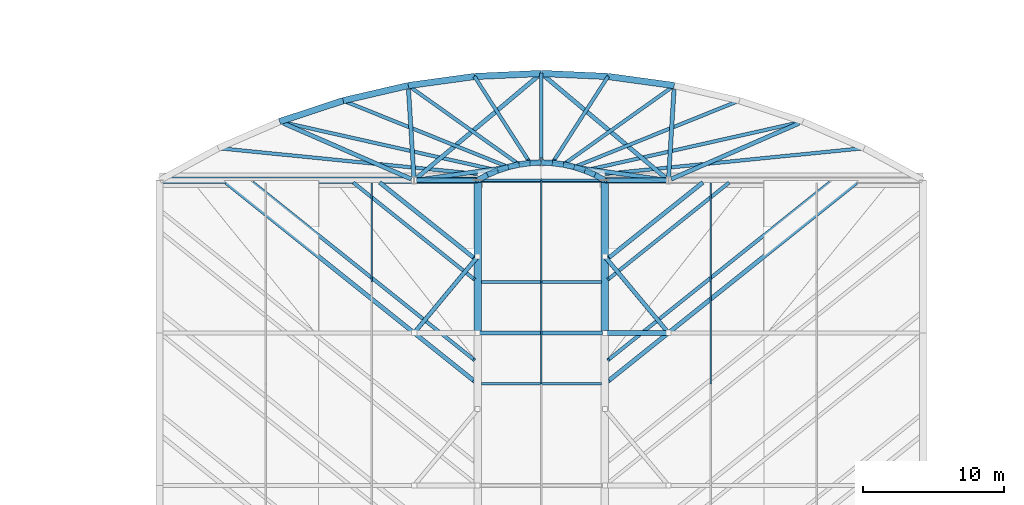
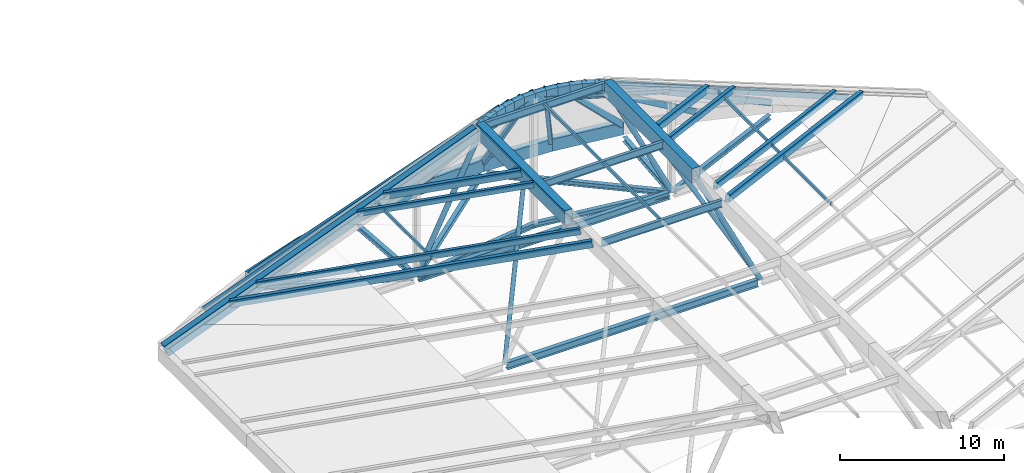
# One storey, part 33 of 110: 55 beams, 10 members.
"""IFC4 building model written with IfcOpenShell, lengths in metres."""

from ifc_helpers import new_model, si_unit, direction, frame, origin, origin_2d, place, context, subcontext, project, spatial, hollow_rectangle, hollow_circle, i_section, extrude, material, material_profile, profile_set, type_object, element, save


model = new_model("IFC4")

# Units and contexts
model_context = context("Model", 3, precision=1e-05, world=origin(), true_north=direction((0.0, 1.0)))
body_context = subcontext(model_context, "Body", "Model", "MODEL_VIEW")
ifc_project = project(units=[si_unit("LENGTHUNIT", "METRE"), si_unit("AREAUNIT", "SQUARE_METRE"), si_unit("VOLUMEUNIT", "CUBIC_METRE"), si_unit("PLANEANGLEUNIT", "RADIAN"), si_unit("MASSUNIT", "GRAM", prefix="KILO")], contexts=[model_context])

# Site, building, storey
site_placement = place(None, origin())
site = spatial("IfcSite", under=ifc_project, at=site_placement, CompositionType="ELEMENT")
building_placement = place(site_placement, origin())
building = spatial("IfcBuilding", under=site, at=building_placement, Name="Tamarisk Ironworks Central Station", CompositionType="ELEMENT")
storey_placement = place(building_placement, frame((0.0, 0.0, 17.39990234375)))
storey = spatial("IfcBuildingStorey", under=building, at=storey_placement, Name="L03", CompositionType="ELEMENT", Elevation=17.39990234375)

# Beams
ifc_material_1 = material(Name="Painted structural steel S355J2", Category="steel")
ifc_material_profile_1 = material_profile(ifc_material_1, hollow_rectangle(XDim=0.300048828125, YDim=0.5, WallThickness=0.02001953125, at=origin_2d()), Name="RHS 500x300x20")
ifc_profile_set_1 = profile_set([ifc_material_profile_1], Name="Painted structural steel S355J2")
beam_type_1 = type_object("IfcBeamType", Name="BM-FR01", PredefinedType="USERDEFINED", material=ifc_profile_set_1)
for number, where, z_axis, x_axis, name in (
    (1, (76.25, 97.39990234375, 7.873291015625), (-0.746815868048, 0.597452694438, -0.292089604642), (-0.624695047554, -0.780868809443, 0.0), "Concourse paired 45-degree white fishbone roof rib 0169"),
    (2, (85.75, 97.39990234375, 7.873291015625), (0.746815868048, 0.597452694438, -0.292089604642), (-0.624695047554, 0.780868809443, 0.0), "Concourse paired 45-degree white fishbone roof rib 0170"),
):
    element("IfcBeam", number, at=place(storey_placement, frame(where, z_axis=z_axis, x_axis=x_axis)), inside=storey, type_object=beam_type_1, Name=name, ObjectType="FISHBONE ROOF RIB", PredefinedType="USERDEFINED", context=body_context, shape_type="SweptSolid", body=[
        extrude(hollow_rectangle(XDim=0.300048828125, YDim=0.5, WallThickness=0.02001953125, at=origin_2d()), origin(), (0.0, 0.0, 1.0), 23.432861328125),
    ])
for number, where, z_axis, x_axis, name in (
    (3, (76.25, 106.10009765625, 7.873291015625), (-0.746821188907, 0.597434933991, -0.292112326763), (-0.62468101012, -0.780880039184, 0.0), "Concourse paired 45-degree white fishbone roof rib 0175"),
    (4, (85.75, 106.10009765625, 7.873291015625), (0.746821188907, 0.597434933991, -0.292112326763), (-0.62468101012, 0.780880039184, 0.0), "Concourse paired 45-degree white fishbone roof rib 0176"),
):
    element("IfcBeam", number, at=place(storey_placement, frame(where, z_axis=z_axis, x_axis=x_axis)), inside=storey, type_object=beam_type_1, Name=name, ObjectType="FISHBONE ROOF RIB", PredefinedType="USERDEFINED", context=body_context, shape_type="SweptSolid", body=[
        extrude(hollow_rectangle(XDim=0.300048828125, YDim=0.5, WallThickness=0.02001953125, at=origin_2d()), origin(), (0.0, 0.0, 1.0), 8.870849609375),
    ])
ifc_material_profile_2 = material_profile(ifc_material_1, hollow_rectangle(XDim=0.25, YDim=0.449951171875, WallThickness=0.01611328125, at=origin_2d()), Name="RHS 450x250x16")
ifc_profile_set_2 = profile_set([ifc_material_profile_2], Name="Painted structural steel S355J2")
beam_type_2 = type_object("IfcBeamType", Name="BM-FR02", PredefinedType="USERDEFINED", material=ifc_profile_set_2)
for number, where, z_axis, x_axis, name in (
    (5, (76.25, 98.89990234375, 7.897216796875), (-0.746813958945, 0.597451167156, -0.292097609692), (-0.624695047554, -0.780868809443, 0.0), "Concourse paired 45-degree white fishbone roof rib 0171"),
    (6, (85.75, 98.89990234375, 7.897216796875), (0.746813958945, 0.597451167156, -0.292097609692), (-0.624695047554, 0.780868809443, 0.0), "Concourse paired 45-degree white fishbone roof rib 0172"),
):
    element("IfcBeam", number, at=place(storey_placement, frame(where, z_axis=z_axis, x_axis=x_axis)), inside=storey, type_object=beam_type_2, Name=name, ObjectType="FISHBONE ROOF RIB", PredefinedType="USERDEFINED", context=body_context, shape_type="SweptSolid", body=[
        extrude(hollow_rectangle(XDim=0.25, YDim=0.449951171875, WallThickness=0.01611328125, at=origin_2d()), origin(), (0.0, 0.0, 1.0), 20.922119140625),
    ])
ifc_material_profile_3 = material_profile(ifc_material_1, hollow_rectangle(XDim=0.25, YDim=0.39990234375, WallThickness=0.01611328125, at=origin_2d()), Name="RHS 400x250x16")
ifc_profile_set_3 = profile_set([ifc_material_profile_3], Name="Painted structural steel S355J2")
beam_type_3 = type_object("IfcBeamType", Name="BM-FR03", PredefinedType="USERDEFINED", material=ifc_profile_set_3)
for number, where, z_axis, x_axis, name in (
    (7, (76.25, 104.60009765625, 7.9208984375), (-0.746828203895, 0.597445402541, -0.292072978637), (-0.624684106665, -0.780877562029, 0.0), "Concourse paired 45-degree white fishbone roof rib 0173"),
    (8, (85.75, 104.60009765625, 7.9208984375), (0.746828203895, 0.597445402541, -0.292072978637), (-0.624684106665, 0.780877562029, 0.0), "Concourse paired 45-degree white fishbone roof rib 0174"),
):
    element("IfcBeam", number, at=place(storey_placement, frame(where, z_axis=z_axis, x_axis=x_axis)), inside=storey, type_object=beam_type_3, Name=name, ObjectType="FISHBONE ROOF RIB", PredefinedType="USERDEFINED", context=body_context, shape_type="SweptSolid", body=[
        extrude(hollow_rectangle(XDim=0.25, YDim=0.39990234375, WallThickness=0.01611328125, at=origin_2d()), origin(), (0.0, 0.0, 1.0), 11.38134765625),
    ])
beam_1_placement = place(storey_placement, frame((77.04248046875, 111.9931640625, 7.97998046875), z_axis=(-0.901565860441, 0.089542413164, -0.423274326569), x_axis=(-0.098832514368, -0.995104082046, 0.0)))
element("IfcBeam", 9, at=beam_1_placement, inside=storey, type_object=beam_type_3, Name="NORTH rounded nose radial white rib 02", ObjectType="FISHBONE ROOF RIB", PredefinedType="USERDEFINED", context=body_context, shape_type="SweptSolid", body=[
    extrude(hollow_rectangle(XDim=0.25, YDim=0.39990234375, WallThickness=0.01611328125, at=origin_2d()), origin(), (0.0, 0.0, 1.0), 20.789794921875),
])
beam_2_placement = place(storey_placement, frame((77.768310546875, 112.324951171875, 7.97998046875), z_axis=(-0.848659087518, 0.190378391739, -0.493491460039), x_axis=(-0.21888847515, -0.975749883652, 0.0)))
element("IfcBeam", 10, at=beam_2_placement, inside=storey, type_object=beam_type_3, Name="NORTH rounded nose radial white rib 03", ObjectType="FISHBONE ROOF RIB", PredefinedType="USERDEFINED", context=body_context, shape_type="SweptSolid", body=[
    extrude(hollow_rectangle(XDim=0.25, YDim=0.39990234375, WallThickness=0.01611328125, at=origin_2d()), origin(), (0.0, 0.0, 1.0), 17.831787109375),
])
beam_3_placement = place(storey_placement, frame((78.5244140625, 112.594970703125, 7.97998046875), z_axis=(-0.75444737931, 0.30317117137, -0.582148084857), x_axis=(-0.372866304378, -0.927885078584, 0.0)))
element("IfcBeam", 11, at=beam_3_placement, inside=storey, type_object=beam_type_3, Name="NORTH rounded nose radial white rib 04", ObjectType="FISHBONE ROOF RIB", PredefinedType="USERDEFINED", context=body_context, shape_type="SweptSolid", body=[
    extrude(hollow_rectangle(XDim=0.25, YDim=0.39990234375, WallThickness=0.01611328125, at=origin_2d()), origin(), (0.0, 0.0, 1.0), 15.1162109375),
])
beam_4_placement = place(storey_placement, frame((79.309326171875, 112.8037109375, 7.97998046875), z_axis=(-0.592533939815, 0.421867715392, -0.686244242873), x_axis=(-0.579989590937, -0.81462388524, 0.0)))
element("IfcBeam", 12, at=beam_4_placement, inside=storey, type_object=beam_type_3, Name="NORTH rounded nose radial white rib 05", ObjectType="FISHBONE ROOF RIB", PredefinedType="USERDEFINED", context=body_context, shape_type="SweptSolid", body=[
    extrude(hollow_rectangle(XDim=0.25, YDim=0.39990234375, WallThickness=0.01611328125, at=origin_2d()), origin(), (0.0, 0.0, 1.0), 12.8232421875),
])
beam_5_placement = place(storey_placement, frame((80.13134765625, 112.9501953125, 7.97998046875), z_axis=(-0.336159524623, 0.522489686012, -0.783582351777), x_axis=(-0.84097832375, -0.541068811689, 0.0)))
element("IfcBeam", 13, at=beam_5_placement, inside=storey, type_object=beam_type_3, Name="NORTH rounded nose radial white rib 06", ObjectType="FISHBONE ROOF RIB", PredefinedType="USERDEFINED", context=body_context, shape_type="SweptSolid", body=[
    extrude(hollow_rectangle(XDim=0.25, YDim=0.39990234375, WallThickness=0.01611328125, at=origin_2d()), origin(), (0.0, 0.0, 1.0), 11.230224609375),
])
beam_6_placement = place(storey_placement, frame((81.0, 113.009765625, 7.97998046875), z_axis=(0.0, 0.56329841348, -0.826253530928), x_axis=(-1.0, 0.0, 0.0)))
element("IfcBeam", 14, at=beam_6_placement, inside=storey, type_object=beam_type_3, Name="NORTH rounded nose radial white rib 07", ObjectType="FISHBONE ROOF RIB", PredefinedType="USERDEFINED", context=body_context, shape_type="SweptSolid", body=[
    extrude(hollow_rectangle(XDim=0.25, YDim=0.39990234375, WallThickness=0.01611328125, at=origin_2d()), origin(), (0.0, 0.0, 1.0), 10.650146484375),
])
beam_7_placement = place(storey_placement, frame((81.86865234375, 112.9501953125, 7.97998046875), z_axis=(0.336159524623, 0.522489686012, -0.783582351777), x_axis=(-0.84097832375, 0.541068811689, 0.0)))
element("IfcBeam", 15, at=beam_7_placement, inside=storey, type_object=beam_type_3, Name="NORTH rounded nose radial white rib 08", ObjectType="FISHBONE ROOF RIB", PredefinedType="USERDEFINED", context=body_context, shape_type="SweptSolid", body=[
    extrude(hollow_rectangle(XDim=0.25, YDim=0.39990234375, WallThickness=0.01611328125, at=origin_2d()), origin(), (0.0, 0.0, 1.0), 11.230224609375),
])
beam_8_placement = place(storey_placement, frame((82.690673828125, 112.8037109375, 7.97998046875), z_axis=(0.592533939815, 0.421867715392, -0.686244242873), x_axis=(-0.579989590937, 0.81462388524, 0.0)))
element("IfcBeam", 16, at=beam_8_placement, inside=storey, type_object=beam_type_3, Name="NORTH rounded nose radial white rib 09", ObjectType="FISHBONE ROOF RIB", PredefinedType="USERDEFINED", context=body_context, shape_type="SweptSolid", body=[
    extrude(hollow_rectangle(XDim=0.25, YDim=0.39990234375, WallThickness=0.01611328125, at=origin_2d()), origin(), (0.0, 0.0, 1.0), 12.8232421875),
])
beam_9_placement = place(storey_placement, frame((83.4755859375, 112.594970703125, 7.97998046875), z_axis=(0.75444737931, 0.30317117137, -0.582148084857), x_axis=(-0.372866304378, 0.927885078584, 0.0)))
element("IfcBeam", 17, at=beam_9_placement, inside=storey, type_object=beam_type_3, Name="NORTH rounded nose radial white rib 10", ObjectType="FISHBONE ROOF RIB", PredefinedType="USERDEFINED", context=body_context, shape_type="SweptSolid", body=[
    extrude(hollow_rectangle(XDim=0.25, YDim=0.39990234375, WallThickness=0.01611328125, at=origin_2d()), origin(), (0.0, 0.0, 1.0), 15.1162109375),
])
beam_10_placement = place(storey_placement, frame((84.231689453125, 112.324951171875, 7.97998046875), z_axis=(0.848659087518, 0.190378391739, -0.493491460039), x_axis=(-0.21888847515, 0.975749883652, 0.0)))
element("IfcBeam", 18, at=beam_10_placement, inside=storey, type_object=beam_type_3, Name="NORTH rounded nose radial white rib 11", ObjectType="FISHBONE ROOF RIB", PredefinedType="USERDEFINED", context=body_context, shape_type="SweptSolid", body=[
    extrude(hollow_rectangle(XDim=0.25, YDim=0.39990234375, WallThickness=0.01611328125, at=origin_2d()), origin(), (0.0, 0.0, 1.0), 17.831787109375),
])
beam_11_placement = place(storey_placement, frame((84.95751953125, 111.9931640625, 7.97998046875), z_axis=(0.901565860441, 0.089542413164, -0.423274326569), x_axis=(-0.098832514368, 0.995104082046, 0.0)))
element("IfcBeam", 19, at=beam_11_placement, inside=storey, type_object=beam_type_3, Name="NORTH rounded nose radial white rib 12", ObjectType="FISHBONE ROOF RIB", PredefinedType="USERDEFINED", context=body_context, shape_type="SweptSolid", body=[
    extrude(hollow_rectangle(XDim=0.25, YDim=0.39990234375, WallThickness=0.01611328125, at=origin_2d()), origin(), (0.0, 0.0, 1.0), 20.789794921875),
])
ifc_material_profile_4 = material_profile(ifc_material_1, i_section(OverallWidth=0.2099609375, OverallDepth=0.550048828125, WebThickness=0.010986328125, FlangeThickness=0.01708984375, at=origin_2d()), Name="IPE 550")
ifc_profile_set_4 = profile_set([ifc_material_profile_4], Name="Painted structural steel S355J2")
beam_type_4 = type_object("IfcBeamType", Name="BM-FR04", PredefinedType="USERDEFINED", material=ifc_profile_set_4)
for number, where, z_axis, x_axis, name in (
    (20, (76.7548828125, 97.199951171875, 7.85009765625), (1.0, 0.0, 0.0), (0.0, 1.0, 0.0), "Central glazed spine transverse rib 106"),
    (21, (76.7548828125, 104.39990234375, 7.85009765625), (1.0, 0.0, 0.0), (0.0, 1.0, 0.0), "Central glazed spine transverse rib 107"),
    (22, (76.7548828125, 111.60009765625, 7.85009765625), (1.0, 0.0, 0.0), (0.0, 1.0, 0.0), "Central glazed spine transverse rib 108"),
):
    element("IfcBeam", number, at=place(storey_placement, frame(where, z_axis=z_axis, x_axis=x_axis)), inside=storey, type_object=beam_type_4, Name=name, ObjectType="FISHBONE ROOF RIB", PredefinedType="USERDEFINED", context=body_context, shape_type="SweptSolid", body=[
        extrude(i_section(OverallWidth=0.2099609375, OverallDepth=0.550048828125, WebThickness=0.010986328125, FlangeThickness=0.01708984375, at=origin_2d()), origin(), (0.0, 0.0, 1.0), 8.490234375),
    ])
ifc_material_2 = material(Name="Structural steel S355J2", Category="steel")
ifc_material_profile_5 = material_profile(ifc_material_2, i_section(OverallWidth=0.300048828125, OverallDepth=0.5400390625, WebThickness=0.012451171875, FlangeThickness=0.02392578125, at=origin_2d()), Name="HEA 550")
ifc_profile_set_5 = profile_set([ifc_material_profile_5], Name="Structural steel S355J2")
beam_type_5 = type_object("IfcBeamType", Name="BM-G04", PredefinedType="BEAM", material=ifc_profile_set_5)
for number, where, z_axis, x_axis, name in (
    (23, (72.139892578125, 100.800048828125, -1.869873046875), (1.0, 0.0, 0.0), (0.0, 1.0, 0.0), "Concourse roof portal tie girder 039"),
    (24, (72.139892578125, 111.60009765625, -1.869873046875), (1.0, 0.0, 0.0), (0.0, 1.0, 0.0), "Concourse roof portal tie girder 042"),
):
    element("IfcBeam", number, at=place(storey_placement, frame(where, z_axis=z_axis, x_axis=x_axis)), inside=storey, type_object=beam_type_5, Name=name, PredefinedType="BEAM", context=body_context, shape_type="SweptSolid", body=[
        extrude(i_section(OverallWidth=0.300048828125, OverallDepth=0.5400390625, WebThickness=0.012451171875, FlangeThickness=0.02392578125, at=origin_2d()), origin(), (0.0, 0.0, 1.0), 17.72021484375),
    ])
ifc_material_profile_6 = material_profile(ifc_material_2, i_section(OverallWidth=0.300048828125, OverallDepth=0.35009765625, WebThickness=0.010009765625, FlangeThickness=0.017578125, at=origin_2d()), Name="HEA 360")
ifc_profile_set_6 = profile_set([ifc_material_profile_6], Name="Structural steel S355J2")
beam_type_6 = type_object("IfcBeamType", Name="BM-G08", PredefinedType="BEAM", material=ifc_profile_set_6)
for number, where, z_axis, x_axis, name in (
    (25, (72.139892578125, 111.60009765625, -1.77978515625), (0.990038775739, 0.140794966289, 0.0), (-0.140794966289, 0.990038775739, 0.0), "NN arch crown tie beam 041"),
    (26, (89.860107421875, 111.60009765625, -1.77978515625), (-0.990038775739, 0.140794966289, 0.0), (-0.140794966289, -0.990038775739, 0.0), "NN arch crown tie beam 042"),
):
    element("IfcBeam", number, at=place(storey_placement, frame(where, z_axis=z_axis, x_axis=x_axis)), inside=storey, type_object=beam_type_6, Name=name, PredefinedType="BEAM", context=body_context, shape_type="SweptSolid", body=[
        extrude(i_section(OverallWidth=0.300048828125, OverallDepth=0.35009765625, WebThickness=0.010009765625, FlangeThickness=0.017578125, at=origin_2d()), origin(), (0.0, 0.0, 1.0), 8.94921875),
    ])
beam_12_placement = place(storey_placement, frame((71.79833984375, 111.68798828125, -1.77978515625), z_axis=(-0.916453329107, 0.400141594399, 0.0), x_axis=(-0.400141594399, -0.916453329107, 0.0)))
element("IfcBeam", 27, at=beam_12_placement, inside=storey, type_object=beam_type_6, Name="NN nose radial tie beam 043", PredefinedType="BEAM", context=body_context, shape_type="SweptSolid", body=[
    extrude(i_section(OverallWidth=0.300048828125, OverallDepth=0.35009765625, WebThickness=0.010009765625, FlangeThickness=0.017578125, at=origin_2d()), origin(), (0.0, 0.0, 1.0), 9.873291015625),
])
beam_13_placement = place(storey_placement, frame((71.986572265625, 111.819580078125, -1.77978515625), z_axis=(-0.061232401319, 0.998123535956, 0.0), x_axis=(-0.998123535956, -0.061232401319, 0.0)))
element("IfcBeam", 28, at=beam_13_placement, inside=storey, type_object=beam_type_6, Name="NN nose radial tie beam 044", PredefinedType="BEAM", context=body_context, shape_type="SweptSolid", body=[
    extrude(i_section(OverallWidth=0.300048828125, OverallDepth=0.35009765625, WebThickness=0.010009765625, FlangeThickness=0.017578125, at=origin_2d()), origin(), (0.0, 0.0, 1.0), 6.2080078125),
])
for number, where, z_axis, x_axis, name in (
    (29, (72.16845703125, 111.741455078125, -1.77978515625), (0.765749759134, 0.643138636987, 0.0), (-0.643138636987, 0.765749759134, 0.0), "NN nose radial tie beam 045"),
    (30, (89.83154296875, 111.741455078125, -1.77978515625), (-0.765749759134, 0.643138636987, 0.0), (-0.643138636987, -0.765749759134, 0.0), "NN nose radial tie beam 046"),
):
    element("IfcBeam", number, at=place(storey_placement, frame(where, z_axis=z_axis, x_axis=x_axis)), inside=storey, type_object=beam_type_6, Name=name, PredefinedType="BEAM", context=body_context, shape_type="SweptSolid", body=[
        extrude(i_section(OverallWidth=0.300048828125, OverallDepth=0.35009765625, WebThickness=0.010009765625, FlangeThickness=0.017578125, at=origin_2d()), origin(), (0.0, 0.0, 1.0), 11.248046875),
    ])
beam_14_placement = place(storey_placement, frame((90.013427734375, 111.819580078125, -1.77978515625), z_axis=(0.061232401319, 0.998123535956, 0.0), x_axis=(-0.998123535956, 0.061232401319, 0.0)))
element("IfcBeam", 31, at=beam_14_placement, inside=storey, type_object=beam_type_6, Name="NN nose radial tie beam 047", PredefinedType="BEAM", context=body_context, shape_type="SweptSolid", body=[
    extrude(i_section(OverallWidth=0.300048828125, OverallDepth=0.35009765625, WebThickness=0.010009765625, FlangeThickness=0.017578125, at=origin_2d()), origin(), (0.0, 0.0, 1.0), 6.2080078125),
])
beam_15_placement = place(storey_placement, frame((90.20166015625, 111.68798828125, -1.77978515625), z_axis=(0.916453329107, 0.400141594399, 0.0), x_axis=(-0.400141594399, 0.916453329107, 0.0)))
element("IfcBeam", 32, at=beam_15_placement, inside=storey, type_object=beam_type_6, Name="NN nose radial tie beam 048", PredefinedType="BEAM", context=body_context, shape_type="SweptSolid", body=[
    extrude(i_section(OverallWidth=0.300048828125, OverallDepth=0.35009765625, WebThickness=0.010009765625, FlangeThickness=0.017578125, at=origin_2d()), origin(), (0.0, 0.0, 1.0), 9.873291015625),
])
for number, where, z_axis, x_axis, name in (
    (33, (72.139892578125, 111.60009765625, 5.900146484375), (0.972245396979, 0.138264542002, 0.188737395545), (-0.140794966289, 0.990038775739, 0.0), "NORTH rounded nose upper crown tie beam 214"),
    (34, (89.860107421875, 111.60009765625, 5.900146484375), (-0.972245396979, 0.138264542002, 0.188737395545), (-0.140794966289, -0.990038775739, 0.0), "NORTH rounded nose upper crown tie beam 215"),
):
    element("IfcBeam", number, at=place(storey_placement, frame(where, z_axis=z_axis, x_axis=x_axis)), inside=storey, type_object=beam_type_6, Name=name, PredefinedType="BEAM", context=body_context, shape_type="SweptSolid", body=[
        extrude(i_section(OverallWidth=0.300048828125, OverallDepth=0.35009765625, WebThickness=0.010009765625, FlangeThickness=0.017578125, at=origin_2d()), origin(), (0.0, 0.0, 1.0), 9.113037109375),
    ])
ifc_material_profile_7 = material_profile(ifc_material_1, hollow_rectangle(XDim=0.449951171875, YDim=0.89990234375, WallThickness=0.02001953125, at=origin_2d()), Name="BOX 450x900x20")
ifc_profile_set_7 = profile_set([ifc_material_profile_7], Name="Painted structural steel S355J2")
beam_type_7 = type_object("IfcBeamType", Name="BM-RG01", PredefinedType="USERDEFINED", material=ifc_profile_set_7)
beam_16_placement = place(storey_placement, frame((76.25, 111.60009765625, 7.622314453125), z_axis=(-0.931302777386, 0.0, -0.364245983963), x_axis=(0.0, -1.0, 0.0)))
element("IfcBeam", 35, at=beam_16_placement, inside=storey, type_object=beam_type_7, Name="Concourse trunk portal raking girder 111", ObjectType="TRANSFER GIRDER", PredefinedType="USERDEFINED", context=body_context, shape_type="SweptSolid", body=[
    extrude(hollow_rectangle(XDim=0.449951171875, YDim=0.89990234375, WallThickness=0.02001953125, at=origin_2d()), origin(), (0.0, 0.0, 1.0), 23.649658203125),
])
for number, where, z_axis, x_axis, name in (
    (36, (62.48876953125, 115.752685546875, -1.079833984375), (0.94972076983, 0.313098162488, 0.0), (-0.313098162488, 0.94972076983, 0.0), "NORTH rounded nose outer ring beam 03"),
    (37, (66.98095703125, 117.233642578125, -1.079833984375), (0.974241353201, 0.225507839583, 0.0), (-0.225507839583, 0.974241353201, 0.0), "NORTH rounded nose outer ring beam 04"),
):
    element("IfcBeam", number, at=place(storey_placement, frame(where, z_axis=z_axis, x_axis=x_axis)), inside=storey, type_object=beam_type_7, Name=name, ObjectType="TRANSFER GIRDER", PredefinedType="USERDEFINED", context=body_context, shape_type="SweptSolid", body=[
        extrude(hollow_rectangle(XDim=0.449951171875, YDim=0.89990234375, WallThickness=0.02001953125, at=origin_2d()), origin(), (0.0, 0.0, 1.0), 4.72998046875),
    ])
beam_17_placement = place(storey_placement, frame((71.589111328125, 118.30029296875, -1.079833984375), z_axis=(0.990699986354, 0.136064459127, 0.0), x_axis=(-0.136064459127, 0.990699986354, 0.0)))
element("IfcBeam", 38, at=beam_17_placement, inside=storey, type_object=beam_type_7, Name="NORTH rounded nose outer ring beam 05", ObjectType="TRANSFER GIRDER", PredefinedType="USERDEFINED", context=body_context, shape_type="SweptSolid", body=[
    extrude(hollow_rectangle(XDim=0.449951171875, YDim=0.89990234375, WallThickness=0.02001953125, at=origin_2d()), origin(), (0.0, 0.0, 1.0), 4.729736328125),
])
for number, where, z_axis, x_axis, name in (
    (39, (76.27490234375, 118.94384765625, -1.079833984375), (0.998965558198, 0.045473217773, 0.0), (-0.045473217773, 0.998965558198, 0.0), "NORTH rounded nose outer ring beam 06"),
    (40, (81.0, 119.158935546875, -1.079833984375), (0.998965558198, -0.045473217773, 0.0), (0.045473217773, 0.998965558198, 0.0), "NORTH rounded nose outer ring beam 07"),
):
    element("IfcBeam", number, at=place(storey_placement, frame(where, z_axis=z_axis, x_axis=x_axis)), inside=storey, type_object=beam_type_7, Name=name, ObjectType="TRANSFER GIRDER", PredefinedType="USERDEFINED", context=body_context, shape_type="SweptSolid", body=[
        extrude(hollow_rectangle(XDim=0.449951171875, YDim=0.89990234375, WallThickness=0.02001953125, at=origin_2d()), origin(), (0.0, 0.0, 1.0), 4.72998046875),
    ])
beam_18_placement = place(storey_placement, frame((85.72509765625, 118.94384765625, -1.079833984375), z_axis=(0.990699986354, -0.136064459127, 0.0), x_axis=(0.136064459127, 0.990699986354, 0.0)))
element("IfcBeam", 41, at=beam_18_placement, inside=storey, type_object=beam_type_7, Name="NORTH rounded nose outer ring beam 08", ObjectType="TRANSFER GIRDER", PredefinedType="USERDEFINED", context=body_context, shape_type="SweptSolid", body=[
    extrude(hollow_rectangle(XDim=0.449951171875, YDim=0.89990234375, WallThickness=0.02001953125, at=origin_2d()), origin(), (0.0, 0.0, 1.0), 4.729736328125),
])
ifc_material_profile_8 = material_profile(ifc_material_1, hollow_rectangle(XDim=0.39990234375, YDim=0.800048828125, WallThickness=0.01806640625, at=origin_2d()), Name="BOX 400x800x18")
ifc_profile_set_8 = profile_set([ifc_material_profile_8], Name="Painted structural steel S355J2")
beam_type_8 = type_object("IfcBeamType", Name="BM-RG02", PredefinedType="USERDEFINED", material=ifc_profile_set_8)
for number, where, z_axis, x_axis, name in (
    (42, (76.5, 111.60009765625, 7.72021484375), (0.877409843234, 0.479741562714, 0.0), (-0.479741562714, 0.877409843234, 0.0), "NORTH rounded nose inner arch ring 01"),
    (43, (77.191650390625, 111.978271484375, 7.72021484375), (0.917389820929, 0.397989844664, 0.0), (-0.397989844664, 0.917389820929, 0.0), "NORTH rounded nose inner arch ring 02"),
    (44, (77.914794921875, 112.2919921875, 7.72021484375), (0.949730888077, 0.313067469138, 0.0), (-0.313067469138, 0.949730888077, 0.0), "NORTH rounded nose inner arch ring 03"),
):
    element("IfcBeam", number, at=place(storey_placement, frame(where, z_axis=z_axis, x_axis=x_axis)), inside=storey, type_object=beam_type_8, Name=name, ObjectType="TRANSFER GIRDER", PredefinedType="USERDEFINED", context=body_context, shape_type="SweptSolid", body=[
        extrude(hollow_rectangle(XDim=0.39990234375, YDim=0.800048828125, WallThickness=0.01806640625, at=origin_2d()), origin(), (0.0, 0.0, 1.0), 0.788330078125),
    ])
beam_19_placement = place(storey_placement, frame((78.66357421875, 112.538818359375, 7.72021484375), z_axis=(0.974171469475, 0.225809539347, 0.0), x_axis=(-0.225809539347, 0.974171469475, 0.0)))
element("IfcBeam", 45, at=beam_19_placement, inside=storey, type_object=beam_type_8, Name="NORTH rounded nose inner arch ring 04", ObjectType="TRANSFER GIRDER", PredefinedType="USERDEFINED", context=body_context, shape_type="SweptSolid", body=[
    extrude(hollow_rectangle(XDim=0.39990234375, YDim=0.800048828125, WallThickness=0.01806640625, at=origin_2d()), origin(), (0.0, 0.0, 1.0), 0.7880859375),
])
for number, where, z_axis, x_axis, name in (
    (46, (79.431396484375, 112.716796875, 7.72021484375), (0.990714851568, 0.135956180006, 0.0), (-0.135956180006, 0.990714851568, 0.0), "NORTH rounded nose inner arch ring 05"),
    (47, (80.21240234375, 112.823974609375, 7.72021484375), (0.998963426095, 0.045520032125, 0.0), (-0.045520032125, 0.998963426095, 0.0), "NORTH rounded nose inner arch ring 06"),
    (48, (81.0, 112.85986328125, 7.72021484375), (0.998963426095, -0.045520032125, 0.0), (0.045520032125, 0.998963426095, 0.0), "NORTH rounded nose inner arch ring 07"),
    (49, (81.78759765625, 112.823974609375, 7.72021484375), (0.990714851568, -0.135956180006, 0.0), (0.135956180006, 0.990714851568, 0.0), "NORTH rounded nose inner arch ring 08"),
):
    element("IfcBeam", number, at=place(storey_placement, frame(where, z_axis=z_axis, x_axis=x_axis)), inside=storey, type_object=beam_type_8, Name=name, ObjectType="TRANSFER GIRDER", PredefinedType="USERDEFINED", context=body_context, shape_type="SweptSolid", body=[
        extrude(hollow_rectangle(XDim=0.39990234375, YDim=0.800048828125, WallThickness=0.01806640625, at=origin_2d()), origin(), (0.0, 0.0, 1.0), 0.788330078125),
    ])
beam_20_placement = place(storey_placement, frame((82.568603515625, 112.716796875, 7.72021484375), z_axis=(0.974171469475, -0.225809539347, 0.0), x_axis=(0.225809539347, 0.974171469475, 0.0)))
element("IfcBeam", 50, at=beam_20_placement, inside=storey, type_object=beam_type_8, Name="NORTH rounded nose inner arch ring 09", ObjectType="TRANSFER GIRDER", PredefinedType="USERDEFINED", context=body_context, shape_type="SweptSolid", body=[
    extrude(hollow_rectangle(XDim=0.39990234375, YDim=0.800048828125, WallThickness=0.01806640625, at=origin_2d()), origin(), (0.0, 0.0, 1.0), 0.7880859375),
])
for number, where, z_axis, x_axis, name in (
    (51, (83.33642578125, 112.538818359375, 7.72021484375), (0.949730888077, -0.313067469138, 0.0), (0.313067469138, 0.949730888077, 0.0), "NORTH rounded nose inner arch ring 10"),
    (52, (84.085205078125, 112.2919921875, 7.72021484375), (0.917389820929, -0.397989844664, 0.0), (0.397989844664, 0.917389820929, 0.0), "NORTH rounded nose inner arch ring 11"),
    (53, (84.808349609375, 111.978271484375, 7.72021484375), (0.877409843234, -0.479741562714, 0.0), (0.479741562714, 0.877409843234, 0.0), "NORTH rounded nose inner arch ring 12"),
):
    element("IfcBeam", number, at=place(storey_placement, frame(where, z_axis=z_axis, x_axis=x_axis)), inside=storey, type_object=beam_type_8, Name=name, ObjectType="TRANSFER GIRDER", PredefinedType="USERDEFINED", context=body_context, shape_type="SweptSolid", body=[
        extrude(hollow_rectangle(XDim=0.39990234375, YDim=0.800048828125, WallThickness=0.01806640625, at=origin_2d()), origin(), (0.0, 0.0, 1.0), 0.788330078125),
    ])
ifc_material_profile_9 = material_profile(ifc_material_1, hollow_rectangle(XDim=0.550048828125, YDim=1.10009765625, WallThickness=0.02392578125, at=origin_2d()), Name="BOX 550x1100x24")
ifc_profile_set_9 = profile_set([ifc_material_profile_9], Name="Painted structural steel S355J2")
beam_type_9 = type_object("IfcBeamType", Name="BM-SG01", PredefinedType="USERDEFINED", material=ifc_profile_set_9)
for number, where, z_axis, x_axis, name in (
    (54, (76.5, 100.800048828125, 7.650146484375), (0.0, 1.0, 0.0), (-1.0, 0.0, 0.0), "Concourse central glazed spine girder W-051"),
    (55, (85.5, 100.800048828125, 7.650146484375), (0.0, 1.0, 0.0), (-1.0, 0.0, 0.0), "Concourse central glazed spine girder E-059"),
):
    element("IfcBeam", number, at=place(storey_placement, frame(where, z_axis=z_axis, x_axis=x_axis)), inside=storey, type_object=beam_type_9, Name=name, ObjectType="TRANSFER GIRDER", PredefinedType="USERDEFINED", context=body_context, shape_type="SweptSolid", body=[
        extrude(hollow_rectangle(XDim=0.550048828125, YDim=1.10009765625, WallThickness=0.02392578125, at=origin_2d()), origin(), (0.0, 0.0, 1.0), 10.800048828125),
    ])

# Members
ifc_material_profile_10 = material_profile(ifc_material_1, hollow_rectangle(XDim=0.1201171875, YDim=0.219970703125, WallThickness=0.008056640625, at=origin_2d()), Name="RHS 220x120x8")
ifc_profile_set_10 = profile_set([ifc_material_profile_10], Name="Painted structural steel S355J2")
member_type_1 = type_object("IfcMemberType", Name="MB-PR01", PredefinedType="PURLIN", material=ifc_profile_set_10)
for number, where, z_axis, x_axis, name in (
    (56, (81.0, 97.2041015625, 7.97998046875), (0.0, 1.0, 0.0), (-1.0, 0.0, 0.0), "Spine skylight purlin 013"),
    (57, (81.0, 104.404052734375, 7.97998046875), (0.0, 1.0, 0.0), (-1.0, 0.0, 0.0), "Spine skylight purlin 014"),
):
    element("IfcMember", number, at=place(storey_placement, frame(where, z_axis=z_axis, x_axis=x_axis)), inside=storey, type_object=member_type_1, Name=name, PredefinedType="PURLIN", context=body_context, shape_type="SweptSolid", body=[
        extrude(hollow_rectangle(XDim=0.1201171875, YDim=0.219970703125, WallThickness=0.008056640625, at=origin_2d()), origin(), (0.0, 0.0, 1.0), 7.19189453125),
    ])
member_1_placement = place(storey_placement, frame((69.0, 104.39990234375, 5.002685546875), z_axis=(0.0, 1.0, 0.0), x_axis=(-1.0, 0.0, 0.0)))
element("IfcMember", 58, at=member_1_placement, inside=storey, type_object=member_type_1, Name="Concourse roof glazing purlin 0028", PredefinedType="PURLIN", context=body_context, shape_type="SweptSolid", body=[
    extrude(hollow_rectangle(XDim=0.1201171875, YDim=0.219970703125, WallThickness=0.008056640625, at=origin_2d()), origin(), (0.0, 0.0, 1.0), 7.0),
])
member_2_placement = place(storey_placement, frame((93.0, 97.199951171875, 5.002685546875), z_axis=(0.0, 1.0, 0.0), x_axis=(-1.0, 0.0, 0.0)))
element("IfcMember", 59, at=member_2_placement, inside=storey, type_object=member_type_1, Name="Concourse roof glazing purlin 0055", PredefinedType="PURLIN", context=body_context, shape_type="SweptSolid", body=[
    extrude(hollow_rectangle(XDim=0.1201171875, YDim=0.219970703125, WallThickness=0.008056640625, at=origin_2d()), origin(), (0.0, 0.0, 1.0), 7.199951171875),
])
member_3_placement = place(storey_placement, frame((93.0, 104.39990234375, 5.002685546875), z_axis=(0.0, 1.0, 0.0), x_axis=(-1.0, 0.0, 0.0)))
element("IfcMember", 60, at=member_3_placement, inside=storey, type_object=member_type_1, Name="Concourse roof glazing purlin 0056", PredefinedType="PURLIN", context=body_context, shape_type="SweptSolid", body=[
    extrude(hollow_rectangle(XDim=0.1201171875, YDim=0.219970703125, WallThickness=0.008056640625, at=origin_2d()), origin(), (0.0, 0.0, 1.0), 7.0),
])
ifc_material_profile_11 = material_profile(ifc_material_1, hollow_circle(Radius=0.177734375, WallThickness=0.01611328125, at=origin_2d()), Name="CHS 355.6x16")
ifc_profile_set_11 = profile_set([ifc_material_profile_11], Name="Painted structural steel S355J2")
member_type_2 = type_object("IfcMemberType", Name="MB-VS01", PredefinedType="STRUT", material=ifc_profile_set_11)
for number, where, z_axis, x_axis, name in (
    (61, (90.0, 100.800048828125, -1.639892578125), (-0.443657342756, 0.0, 0.896196497549), (0.0, -1.0, 0.0), "Concourse spine V-strut 090"),
    (62, (72.0, 111.60009765625, -1.639892578125), (0.443657342756, 0.0, 0.896196497549), (0.0, 1.0, 0.0), "Concourse spine V-strut 092"),
    (63, (90.0, 111.60009765625, -1.639892578125), (-0.443657342756, 0.0, 0.896196497549), (0.0, -1.0, 0.0), "Concourse spine V-strut 093"),
):
    element("IfcMember", number, at=place(storey_placement, frame(where, z_axis=z_axis, x_axis=x_axis)), inside=storey, type_object=member_type_2, Name=name, PredefinedType="STRUT", context=body_context, shape_type="SweptSolid", body=[
        extrude(hollow_circle(Radius=0.177734375, WallThickness=0.01611328125, at=origin_2d()), origin(), (0.0, 0.0, 1.0), 10.14306640625),
    ])
ifc_material_profile_12 = material_profile(ifc_material_1, hollow_circle(Radius=0.149169921875, WallThickness=0.01416015625, at=origin_2d()), Name="CHS 298.5x14.2")
ifc_profile_set_12 = profile_set([ifc_material_profile_12], Name="Painted structural steel S355J2")
member_type_3 = type_object("IfcMemberType", Name="MB-VS02", PredefinedType="STRUT", material=ifc_profile_set_12)
for number, where, z_axis, x_axis, name in (
    (64, (72.0, 100.800048828125, -1.639892578125), (0.391617406828, 0.469932389552, 0.79107481057), (-0.768215585699, 0.640191232281, 0.0), "Concourse spine diagonal V-strut 089"),
    (65, (90.0, 100.800048828125, -1.639892578125), (-0.391617406828, 0.469932389552, 0.79107481057), (-0.768215585699, -0.640191232281, 0.0), "Concourse spine diagonal V-strut 091"),
):
    element("IfcMember", number, at=place(storey_placement, frame(where, z_axis=z_axis, x_axis=x_axis)), inside=storey, type_object=member_type_3, Name=name, PredefinedType="STRUT", context=body_context, shape_type="SweptSolid", body=[
        extrude(hollow_circle(Radius=0.149169921875, WallThickness=0.01416015625, at=origin_2d()), origin(), (0.0, 0.0, 1.0), 11.49072265625),
    ])

save(model, "model.ifc")
